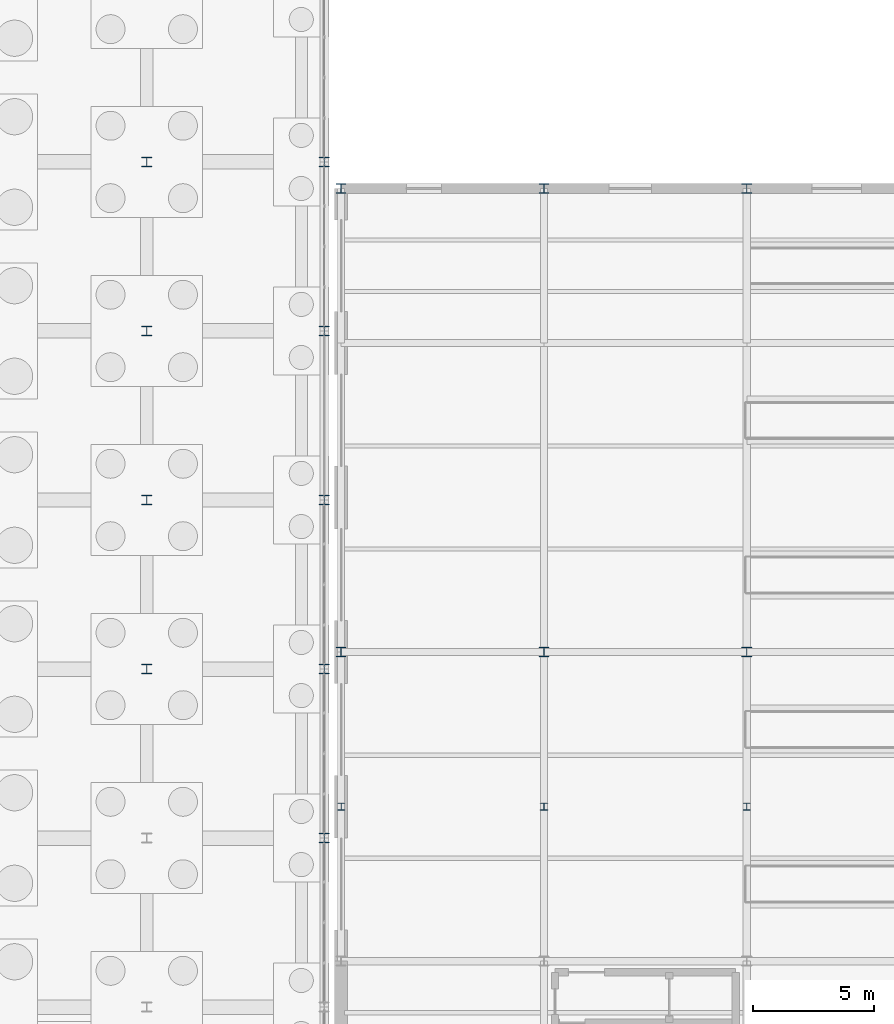
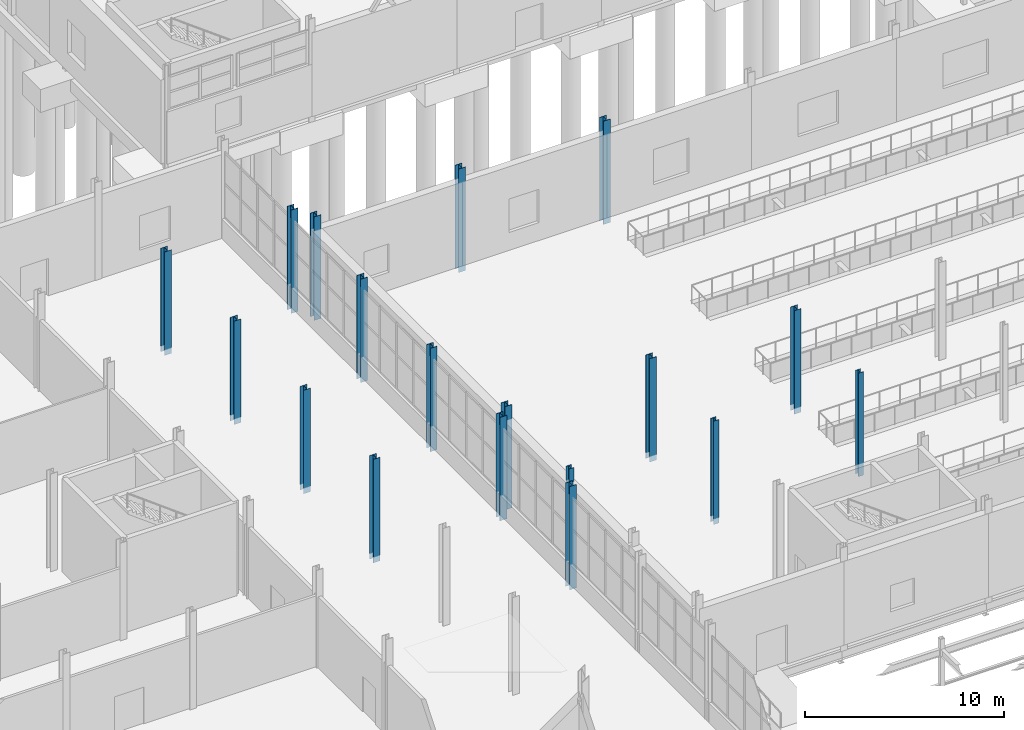
# One storey, part 15 of 139: 18 columns.
"""IFC4 building model written with IfcOpenShell, lengths in metres."""

from ifc_helpers import new_model, si_unit, direction, frame, origin, origin_2d, place, context, subcontext, project, spatial, i_section, extrude, material, material_profile, profile_set, type_object, element, save


model = new_model("IFC4")

# Units and contexts
model_context = context("Model", 3, precision=1e-05, world=origin(), true_north=direction((0.0, 1.0)))
body_context = subcontext(model_context, "Body", "Model", "MODEL_VIEW")
ifc_project = project(units=[si_unit("LENGTHUNIT", "METRE"), si_unit("AREAUNIT", "SQUARE_METRE"), si_unit("VOLUMEUNIT", "CUBIC_METRE"), si_unit("PLANEANGLEUNIT", "RADIAN"), si_unit("MASSUNIT", "GRAM", prefix="KILO")], contexts=[model_context])

# Site, building, storey
site_placement = place(None, origin())
site = spatial("IfcSite", under=ifc_project, at=site_placement, CompositionType="ELEMENT")
building_placement = place(site_placement, origin())
building = spatial("IfcBuilding", under=site, at=building_placement, Name="Kazenagashi Tramway Depot", CompositionType="ELEMENT")
storey_placement = place(building_placement, origin())
storey = spatial("IfcBuildingStorey", under=building, at=storey_placement, Name="L01", CompositionType="ELEMENT", Elevation=0.0)

# Columns
ifc_material = material(Name="Steel SN490B", Category="steel")
ifc_material_profile_1 = material_profile(ifc_material, i_section(OverallWidth=0.4, OverallDepth=0.4, WebThickness=0.013, FlangeThickness=0.021, at=origin_2d()), Name="H-400x400x13x21")
ifc_profile_set_1 = profile_set([ifc_material_profile_1], Name="Steel SN490B")
column_type_1 = type_object("IfcColumnType", Name="C-03", PredefinedType="COLUMN", material=ifc_profile_set_1)
for number, where, z_axis, x_axis, name in (
    (1, (44.8, 35.7, -0.35), (0.0, 0.0, 1.0), (1.0, 0.0, 0.0), "Column C-03 COL-0154"),
    (2, (44.8, 54.9, -0.35), (0.0, 0.0, 1.0), (1.0, 0.0, 0.0), "Column C-03 COL-0157"),
    (3, (53.2, 35.7, -0.35), (0.0, 0.0, 1.0), (1.0, 0.0, 0.0), "Column C-03 COL-0171"),
    (4, (53.2, 54.9, -0.35), (0.0, 0.0, 1.0), (1.0, 0.0, 0.0), "Column C-03 COL-0174"),
    (5, (61.6, 35.7, -0.35), (0.0, 0.0, 1.0), (1.0, 0.0, 0.0), "Column C-03 COL-0188"),
    (6, (61.6, 54.9, -0.35), (0.0, 0.0, 1.0), (1.0, 0.0, 0.0), "Column C-03 COL-0191"),
    (7, (36.75, 35.0, -0.35), (0.0, 0.0, 1.0), (1.0, 0.0, 0.0), "Column C-03 COL-0768"),
    (8, (36.75, 42.0, -0.35), (0.0, 0.0, 1.0), (1.0, 0.0, 0.0), "Column C-03 COL-0772"),
    (9, (36.75, 49.0, -0.35), (0.0, 0.0, 1.0), (1.0, 0.0, 0.0), "Column C-03 COL-0776"),
    (10, (36.75, 56.0, -0.35), (0.0, 0.0, 1.0), (1.0, 0.0, 0.0), "Column C-03 COL-0780"),
    (11, (44.1, 28.0, -0.35), (0.0, 0.0, 1.0), (1.0, 0.0, 0.0), "Column C-03 COL-0794"),
    (12, (44.1, 35.0, -0.35), (0.0, 0.0, 1.0), (1.0, 0.0, 0.0), "Column C-03 COL-0796"),
    (13, (44.1, 42.0, -0.35), (0.0, 0.0, 1.0), (1.0, 0.0, 0.0), "Column C-03 COL-0798"),
    (14, (44.1, 49.0, -0.35), (0.0, 0.0, 1.0), (1.0, 0.0, 0.0), "Column C-03 COL-0800"),
    (15, (44.1, 56.0, -0.35), (0.0, 0.0, 1.0), (1.0, 0.0, 0.0), "Column C-03 COL-0802"),
):
    element("IfcColumn", number, at=place(storey_placement, frame(where, z_axis=z_axis, x_axis=x_axis)), inside=storey, type_object=column_type_1, Name=name, PredefinedType="COLUMN", context=body_context, shape_type="SweptSolid", body=[
        extrude(i_section(OverallWidth=0.4, OverallDepth=0.4, WebThickness=0.013, FlangeThickness=0.021, at=origin_2d()), origin(), (0.0, 0.0, 1.0), 6.35),
    ])
ifc_material_profile_2 = material_profile(ifc_material, i_section(OverallWidth=0.3, OverallDepth=0.3, WebThickness=0.01, FlangeThickness=0.015, at=origin_2d()), Name="H-300x300x10x15")
ifc_profile_set_2 = profile_set([ifc_material_profile_2], Name="Steel SN490B")
column_type_2 = type_object("IfcColumnType", Name="C-05", PredefinedType="COLUMN", material=ifc_profile_set_2)
for number, where, z_axis, x_axis, name in (
    (16, (44.8, 29.3, -0.35), (0.0, 0.0, 1.0), (1.0, 0.0, 0.0), "Column C-05 COL-0152"),
    (17, (53.2, 29.3, -0.35), (0.0, 0.0, 1.0), (1.0, 0.0, 0.0), "Column C-05 COL-0169"),
    (18, (61.6, 29.3, -0.35), (0.0, 0.0, 1.0), (1.0, 0.0, 0.0), "Column C-05 COL-0186"),
):
    element("IfcColumn", number, at=place(storey_placement, frame(where, z_axis=z_axis, x_axis=x_axis)), inside=storey, type_object=column_type_2, Name=name, PredefinedType="COLUMN", context=body_context, shape_type="SweptSolid", body=[
        extrude(i_section(OverallWidth=0.3, OverallDepth=0.3, WebThickness=0.01, FlangeThickness=0.015, at=origin_2d()), origin(), (0.0, 0.0, 1.0), 6.35),
    ])

save(model, "model.ifc")
